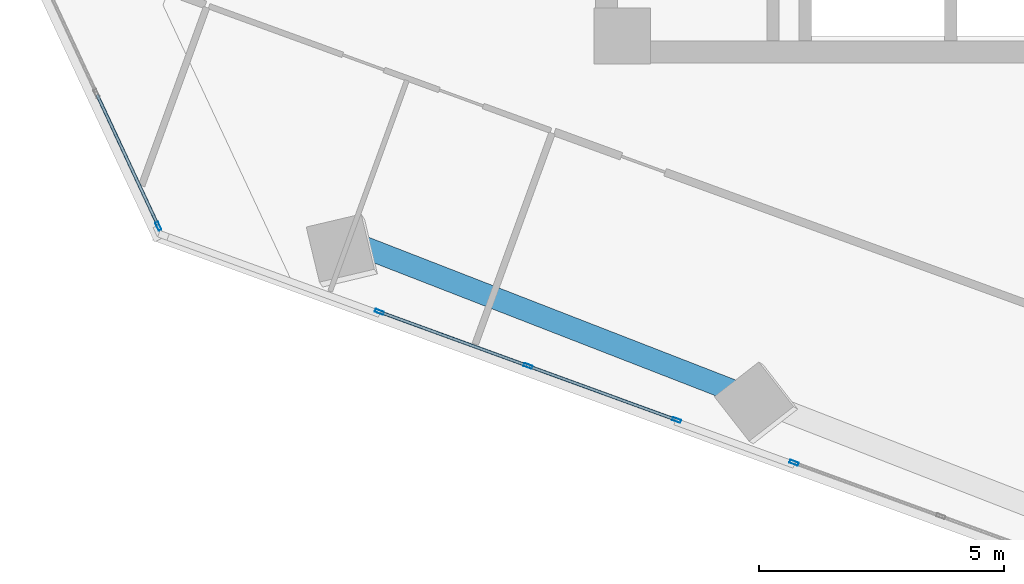
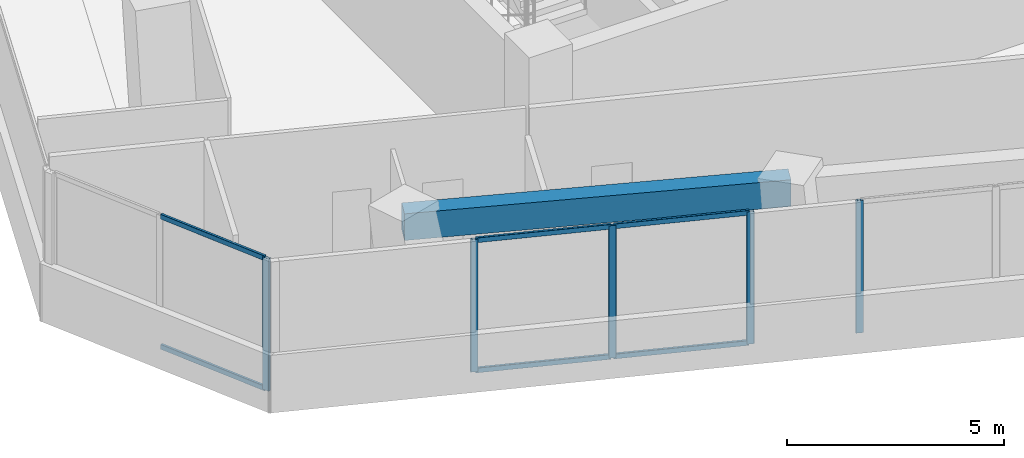
# One storey, part 2 of 21: 11 members, 1 beam, 3 elements without a shape of their own.
"""IFC4 building model written with IfcOpenShell, lengths in metres."""

from ifc_helpers import new_model, si_unit, direction, frame, origin, origin_2d, place, context, subcontext, project, spatial, rectangle, hollow_rectangle, extrude, source, transform, mapped, material, material_profile, profile_set, type_object, element, aggregate, save


model = new_model("IFC4")

# Units and contexts
model_context = context("Model", 3, precision=1e-05, world=origin(), true_north=direction((0.0, 1.0)))
body_context = subcontext(model_context, "Body", "Model", "MODEL_VIEW")
ifc_project = project(units=[si_unit("LENGTHUNIT", "METRE"), si_unit("AREAUNIT", "SQUARE_METRE"), si_unit("VOLUMEUNIT", "CUBIC_METRE"), si_unit("PLANEANGLEUNIT", "RADIAN"), si_unit("MASSUNIT", "GRAM", prefix="KILO")], contexts=[model_context])

# Site, building, storey
site_placement = place(None, origin())
site = spatial("IfcSite", under=ifc_project, at=site_placement, CompositionType="ELEMENT")
building_placement = place(site_placement, origin())
building = spatial("IfcBuilding", under=site, at=building_placement, Name="Torre Montelarca", CompositionType="ELEMENT")
storey_placement = place(building_placement, frame((0.0, 0.0, 133.0)))
storey = spatial("IfcBuildingStorey", under=building, at=storey_placement, Name="L29", CompositionType="ELEMENT", Elevation=133.0)

# Beam
ifc_material_1 = material(Name="Concrete C55/67", Category="concrete")
ifc_material_profile_1 = material_profile(ifc_material_1, rectangle(XDim=0.449951171875, YDim=0.75, at=origin_2d()), Name="RCB450X750", Category="concrete")
ifc_profile_set_1 = profile_set([ifc_material_profile_1], Name="Concrete C55/67")
beam_type = type_object("IfcBeamType", Name="BM-SP-RC750-EXT", PredefinedType="SPANDREL", material=ifc_profile_set_1)
shared_shape_1 = source(origin(), body_context, "Body", "SweptSolid", [
    extrude(rectangle(XDim=0.449951171875, YDim=0.75, at=origin_2d()), origin(), (0.0, 0.0, 1.0), 9.0),
])
beam_placement = place(storey_placement, frame((3.615966796875, 20.5, 3.5849609375), z_axis=(0.932005180628, -0.362444952073, 0.0), x_axis=(0.362444952073, 0.932005180628, 0.0)))
element("IfcBeam", 1, at=beam_placement, inside=storey, type_object=beam_type, Name="L29 Grid Girder X 9.0-18.0 at Y=14.8", PredefinedType="SPANDREL", context=body_context, shape_type="MappedRepresentation", body=[
    mapped(shared_shape_1, transform((0.0, 0.0, 0.0), scale=1.0)),
])

# Curtain wall, members
ifc_material_2 = material(Name="Insulated low-E laminated glass", Category="glass")
curtain_wall_type = type_object("IfcCurtainWallType", Name="CW-SYS-Z2", PredefinedType="USERDEFINED", material=ifc_material_2)
curtain_wall_1_placement = place(storey_placement, origin())
curtain_wall_1 = element("IfcCurtainWall", 2, at=curtain_wall_1_placement, inside=storey, type_object=curtain_wall_type, Name="L29 Curtain Wall Run CW-T3-L29-E11-B1", ObjectType="UNITISED GLAZING", PredefinedType="USERDEFINED")
ifc_material_3 = material(Name="Anodised aluminium AA 6063-T6", Category="aluminium")
ifc_material_profile_2 = material_profile(ifc_material_3, hollow_rectangle(XDim=0.06494140625, YDim=0.139892578125, WallThickness=0.00390625, InnerFilletRadius=0.00390625, OuterFilletRadius=0.008056640625, at=origin_2d()), Name="ALU65X140X4", Category="aluminium")
ifc_profile_set_2 = profile_set([ifc_material_profile_2], Name="Anodised aluminium AA 6063-T6")
member_type_1 = type_object("IfcMemberType", Name="CWT-ALU140", PredefinedType="USERDEFINED", material=ifc_profile_set_2)
shared_shape_2 = source(origin(), body_context, "Body", "SweptSolid", [
    extrude(hollow_rectangle(XDim=0.06494140625, YDim=0.139892578125, WallThickness=0.00390625, InnerFilletRadius=0.00390625, OuterFilletRadius=0.008056640625, at=origin_2d()), origin(), (0.0, 0.0, 1.0), 2.918701171875),
])
member_1_placement = place(storey_placement, frame((-1.160888671875, 23.34765625, 0.032470703125), z_axis=(0.422587791305, -0.90632199501, 0.0), x_axis=(0.90632199501, 0.422587791305, 0.0)))
member_1 = element("IfcMember", 3, at=member_1_placement, type_object=member_type_1, Name="CW transom 2.1", ObjectType="TRANSOM", PredefinedType="USERDEFINED", context=body_context, shape_type="MappedRepresentation", body=[
    mapped(shared_shape_2, transform((0.0, 0.0, 0.0), scale=1.0)),
])
member_2_placement = place(storey_placement, frame((-1.160888671875, 23.34765625, 3.6875), z_axis=(0.422587791305, -0.90632199501, 0.0), x_axis=(0.90632199501, 0.422587791305, 0.0)))
member_2 = element("IfcMember", 4, at=member_2_placement, type_object=member_type_1, Name="CW transom 2.2", ObjectType="TRANSOM", PredefinedType="USERDEFINED", context=body_context, shape_type="MappedRepresentation", body=[
    mapped(shared_shape_2, transform((0.0, 0.0, 0.0), scale=1.0)),
])

curtain_wall_2_placement = place(storey_placement, origin())
curtain_wall_2 = element("IfcCurtainWall", 5, at=curtain_wall_2_placement, inside=storey, type_object=curtain_wall_type, Name="L29 Curtain Wall Run CW-T3-L29-E01-B1", ObjectType="UNITISED GLAZING", PredefinedType="USERDEFINED")
ifc_material_profile_3 = material_profile(ifc_material_3, hollow_rectangle(XDim=0.06494140625, YDim=0.179931640625, WallThickness=0.00390625, InnerFilletRadius=0.00390625, OuterFilletRadius=0.008056640625, at=origin_2d()), Name="ALU65X180X4", Category="aluminium")
ifc_profile_set_3 = profile_set([ifc_material_profile_3], Name="Anodised aluminium AA 6063-T6")
member_type_2 = type_object("IfcMemberType", Name="CWM-ALU180", PredefinedType="MULLION", material=ifc_profile_set_3)
shared_shape_3 = source(origin(), body_context, "Body", "SweptSolid", [
    extrude(hollow_rectangle(XDim=0.06494140625, YDim=0.179931640625, WallThickness=0.00390625, InnerFilletRadius=0.00390625, OuterFilletRadius=0.008056640625, at=origin_2d()), origin(), (0.0, 0.0, 1.0), 3.719970703125),
])
member_3_placement = place(storey_placement, frame((4.595458984375, 18.923095703125, 0.0), z_axis=(0.0, 0.0, 1.0), x_axis=(0.342009226386, 0.939696594155, 0.0)))
member_3 = element("IfcMember", 6, at=member_3_placement, type_object=member_type_2, Name="CW mullion 1", PredefinedType="MULLION", context=body_context, shape_type="MappedRepresentation", body=[
    mapped(shared_shape_3, transform((0.0, 0.0, 0.0), scale=1.0)),
])
member_4_placement = place(storey_placement, frame((7.626220703125, 17.81982421875, 0.0), z_axis=(0.0, 0.0, 1.0), x_axis=(0.342009226386, 0.939696594155, 0.0)))
member_4 = element("IfcMember", 7, at=member_4_placement, type_object=member_type_2, Name="CW mullion 2", PredefinedType="MULLION", context=body_context, shape_type="MappedRepresentation", body=[
    mapped(shared_shape_3, transform((0.0, 0.0, 0.0), scale=1.0)),
])
member_5_placement = place(storey_placement, frame((10.656982421875, 16.716796875, 0.0), z_axis=(0.0, 0.0, 1.0), x_axis=(0.342009226386, 0.939696594155, 0.0)))
member_5 = element("IfcMember", 8, at=member_5_placement, type_object=member_type_2, Name="CW mullion 3", PredefinedType="MULLION", context=body_context, shape_type="MappedRepresentation", body=[
    mapped(shared_shape_3, transform((0.0, 0.0, 0.0), scale=1.0)),
])

# Curtain wall, member
curtain_wall_3_placement = place(storey_placement, origin())
curtain_wall_3 = element("IfcCurtainWall", 9, at=curtain_wall_3_placement, inside=storey, type_object=curtain_wall_type, Name="L29 Curtain Wall Run CW-T3-L29-E01-B2", ObjectType="UNITISED GLAZING", PredefinedType="USERDEFINED")
member_6_placement = place(storey_placement, frame((13.052734375, 15.844970703125, 0.0), z_axis=(0.0, 0.0, 1.0), x_axis=(0.34202114295, 0.939692256952, 0.0)))
member_6 = element("IfcMember", 10, at=member_6_placement, type_object=member_type_2, Name="CW mullion 1", PredefinedType="MULLION", context=body_context, shape_type="MappedRepresentation", body=[
    mapped(shared_shape_3, transform((0.0, 0.0, 0.0), scale=1.0)),
])
aggregate(curtain_wall_3, [member_6])

# Member
member_7_placement = place(storey_placement, frame((0.086181640625, 20.6728515625, 0.0), z_axis=(0.0, 0.0, 1.0), x_axis=(0.906317349192, 0.422597755027, 0.0)))
member_7 = element("IfcMember", 11, at=member_7_placement, type_object=member_type_2, Name="CW mullion 3", PredefinedType="MULLION", context=body_context, shape_type="MappedRepresentation", body=[
    mapped(shared_shape_3, transform((0.0, 0.0, 0.0), scale=1.0)),
])

aggregate(curtain_wall_1, [member_7, member_1, member_2])

shared_shape_4 = source(origin(), body_context, "Body", "SweptSolid", [
    extrude(hollow_rectangle(XDim=0.06494140625, YDim=0.139892578125, WallThickness=0.00390625, InnerFilletRadius=0.00390625, OuterFilletRadius=0.008056640625, at=origin_2d()), origin(), (0.0, 0.0, 1.0), 3.160400390625),
])
member_8_placement = place(storey_placement, frame((4.6259765625, 18.911865234375, 0.032470703125), z_axis=(0.939700911486, -0.341997363955, 0.0), x_axis=(0.341997363955, 0.939700911486, 0.0)))
member_8 = element("IfcMember", 12, at=member_8_placement, type_object=member_type_1, Name="CW transom 1.1", ObjectType="TRANSOM", PredefinedType="USERDEFINED", context=body_context, shape_type="MappedRepresentation", body=[
    mapped(shared_shape_4, transform((0.0, 0.0, 0.0), scale=1.0)),
])

member_9_placement = place(storey_placement, frame((4.6259765625, 18.911865234375, 3.6875), z_axis=(0.939700911486, -0.341997363955, 0.0), x_axis=(0.341997363955, 0.939700911486, 0.0)))
member_9 = element("IfcMember", 13, at=member_9_placement, type_object=member_type_1, Name="CW transom 1.2", ObjectType="TRANSOM", PredefinedType="USERDEFINED", context=body_context, shape_type="MappedRepresentation", body=[
    mapped(shared_shape_4, transform((0.0, 0.0, 0.0), scale=1.0)),
])

member_10_placement = place(storey_placement, frame((7.65673828125, 17.808837890625, 0.032470703125), z_axis=(0.939700911486, -0.341997363955, 0.0), x_axis=(0.341997363955, 0.939700911486, 0.0)))
member_10 = element("IfcMember", 14, at=member_10_placement, type_object=member_type_1, Name="CW transom 2.1", ObjectType="TRANSOM", PredefinedType="USERDEFINED", context=body_context, shape_type="MappedRepresentation", body=[
    mapped(shared_shape_4, transform((0.0, 0.0, 0.0), scale=1.0)),
])

member_11_placement = place(storey_placement, frame((7.65673828125, 17.808837890625, 3.6875), z_axis=(0.939700911486, -0.341997363955, 0.0), x_axis=(0.341997363955, 0.939700911486, 0.0)))
member_11 = element("IfcMember", 15, at=member_11_placement, type_object=member_type_1, Name="CW transom 2.2", ObjectType="TRANSOM", PredefinedType="USERDEFINED", context=body_context, shape_type="MappedRepresentation", body=[
    mapped(shared_shape_4, transform((0.0, 0.0, 0.0), scale=1.0)),
])

aggregate(curtain_wall_2, [member_3, member_4, member_5, member_8, member_9, member_10, member_11])

save(model, "model.ifc")
